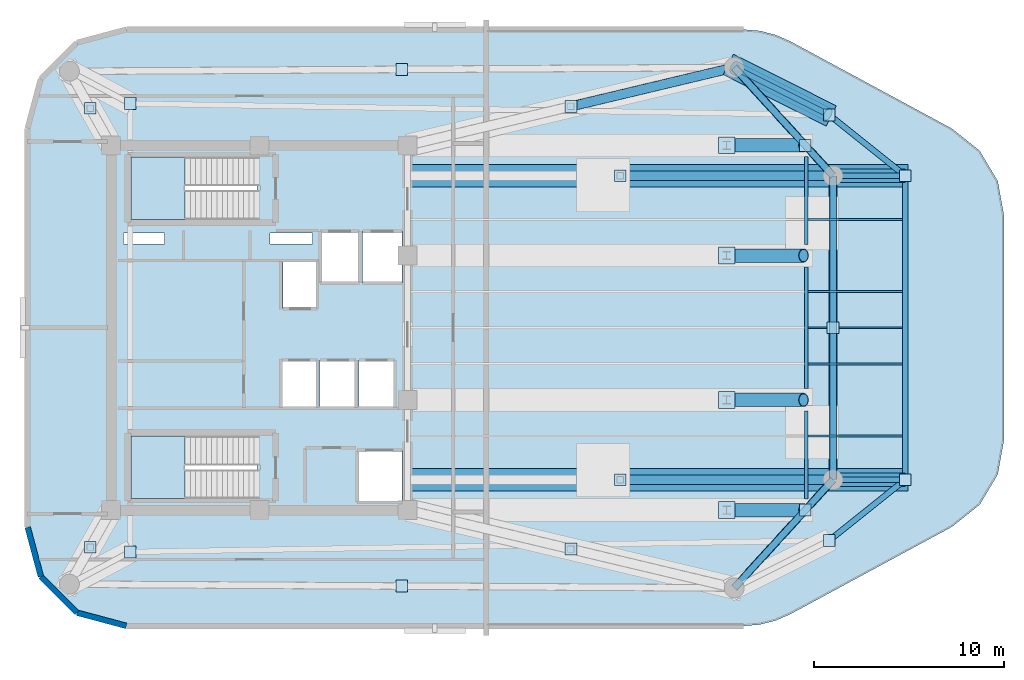
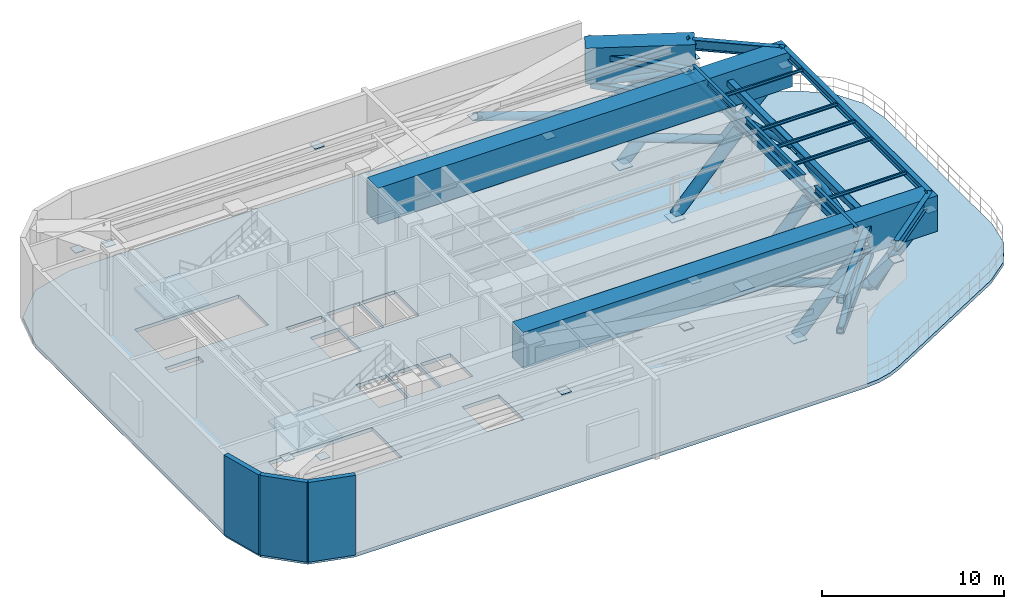
# One storey, part 2 of 6: 22 members, 21 plates, 17 beams, 3 slabs, 3 walls, 2 elements without a shape of their own.
"""IFC4 building model written with IfcOpenShell, lengths in metres."""

from ifc_helpers import new_model, si_unit, direction, frame, frame_2d, origin, origin_2d, place, context, subcontext, project, spatial, polyline, rectangle, hollow_rectangle, hollow_circle, i_section, outline, extrude, material, layer, layer_set, material_profile, profile_set, type_object, element, aggregate, save


model = new_model("IFC4")

# Units and contexts
model_context = context("Model", 3, precision=1e-05, world=origin(), true_north=direction((0.0, 1.0)))
body_context = subcontext(model_context, "Body", "Model", "MODEL_VIEW")
ifc_project = project(units=[si_unit("LENGTHUNIT", "METRE"), si_unit("AREAUNIT", "SQUARE_METRE"), si_unit("VOLUMEUNIT", "CUBIC_METRE"), si_unit("PLANEANGLEUNIT", "RADIAN"), si_unit("MASSUNIT", "GRAM", prefix="KILO")], contexts=[model_context])

# Site, building, storey
site_placement = place(None, origin())
site = spatial("IfcSite", under=ifc_project, at=site_placement, CompositionType="ELEMENT")
building_placement = place(site_placement, origin())
building = spatial("IfcBuilding", under=site, at=building_placement, Name="An Khanh Terracotta Commons", CompositionType="ELEMENT")
storey_placement = place(building_placement, frame((0.0, 0.0, 248.10009765625)))
storey = spatial("IfcBuildingStorey", under=building, at=storey_placement, Name="L65", CompositionType="ELEMENT", Elevation=248.10009765625)

# Members
ifc_material_1 = material(Name="Steel S460ML", Category="steel")
ifc_material_profile_1 = material_profile(ifc_material_1, hollow_rectangle(XDim=0.39990234375, YDim=0.39990234375, WallThickness=0.02001953125, InnerFilletRadius=0.02001953125, OuterFilletRadius=0.0400390625, at=origin_2d()), Name="SHS400x400x20")
ifc_profile_set_1 = profile_set([ifc_material_profile_1], Name="Steel S460ML")
member_type_1 = type_object("IfcMemberType", Name="BELT-CHORD-SHS400", PredefinedType="CHORD", material=ifc_profile_set_1)
for number, where, z_axis, x_axis, name in (
    (1, (54.39990234375, 10.300048828125, 2.5498046875), (0.673978953902, 0.738750546326, 0.0), (-0.738750546326, 0.673978953902, 0.0), "L65 Belt-Truss Bottom Chord 2"),
    (2, (54.39990234375, 10.300048828125, 4.60986328125), (0.673978953902, 0.738750546326, 0.0), (-0.738750546326, 0.673978953902, 0.0), "L65 Belt-Truss Top Chord 2"),
):
    element("IfcMember", number, at=place(storey_placement, frame(where, z_axis=z_axis, x_axis=x_axis)), inside=storey, type_object=member_type_1, Name=name, PredefinedType="CHORD", context=body_context, shape_type="SweptSolid", body=[
        extrude(hollow_rectangle(XDim=0.39990234375, YDim=0.39990234375, WallThickness=0.02001953125, InnerFilletRadius=0.02001953125, OuterFilletRadius=0.0400390625, at=origin_2d()), origin(), (0.0, 0.0, 1.0), 7.715576171875),
    ])
for number, where, z_axis, x_axis, name in (
    (3, (59.60009765625, 16.0, 2.5498046875), (0.0, 1.0, 0.0), (-1.0, 0.0, 0.0), "L65 Belt-Truss Bottom Chord 3"),
    (4, (59.60009765625, 16.0, 4.60986328125), (0.0, 1.0, 0.0), (-1.0, 0.0, 0.0), "L65 Belt-Truss Top Chord 3"),
):
    element("IfcMember", number, at=place(storey_placement, frame(where, z_axis=z_axis, x_axis=x_axis)), inside=storey, type_object=member_type_1, Name=name, PredefinedType="CHORD", context=body_context, shape_type="SweptSolid", body=[
        extrude(hollow_rectangle(XDim=0.39990234375, YDim=0.39990234375, WallThickness=0.02001953125, InnerFilletRadius=0.02001953125, OuterFilletRadius=0.0400390625, at=origin_2d()), origin(), (0.0, 0.0, 1.0), 16.0),
    ])
for number, where, z_axis, x_axis, name in (
    (5, (59.60009765625, 32.0, 2.5498046875), (-0.673978953902, 0.738750546326, 0.0), (-0.738750546326, -0.673978953902, 0.0), "L65 Belt-Truss Bottom Chord 4"),
    (6, (59.60009765625, 32.0, 4.60986328125), (-0.673978953902, 0.738750546326, 0.0), (-0.738750546326, -0.673978953902, 0.0), "L65 Belt-Truss Top Chord 4"),
):
    element("IfcMember", number, at=place(storey_placement, frame(where, z_axis=z_axis, x_axis=x_axis)), inside=storey, type_object=member_type_1, Name=name, PredefinedType="CHORD", context=body_context, shape_type="SweptSolid", body=[
        extrude(hollow_rectangle(XDim=0.39990234375, YDim=0.39990234375, WallThickness=0.02001953125, InnerFilletRadius=0.02001953125, OuterFilletRadius=0.0400390625, at=origin_2d()), origin(), (0.0, 0.0, 1.0), 7.715576171875),
    ])
ifc_material_profile_2 = material_profile(ifc_material_1, hollow_circle(Radius=0.177734375, WallThickness=0.01611328125, at=origin_2d()), Name="CHS355.6x16")
ifc_profile_set_2 = profile_set([ifc_material_profile_2], Name="Steel S460ML")
member_type_2 = type_object("IfcMemberType", Name="BELT-DIAG-CHS355", PredefinedType="BRACE", material=ifc_profile_set_2)
member_1_placement = place(storey_placement, frame((54.39990234375, 10.300048828125, 2.5498046875), z_axis=(0.63181129154, 0.69260441405, 0.348013818005), x_axis=(-0.738786391769, 0.673939661496, 0.0)))
element("IfcMember", 7, at=member_1_placement, inside=storey, type_object=member_type_2, Name="L65 Belt-Truss Web Diagonal 2A", PredefinedType="BRACE", context=body_context, shape_type="SweptSolid", body=[
    extrude(hollow_circle(Radius=0.177734375, WallThickness=0.01611328125, at=origin_2d()), origin(), (0.0, 0.0, 1.0), 5.91943359375),
])
member_2_placement = place(storey_placement, frame((59.60009765625, 16.0, 2.5498046875), z_axis=(-0.488465282341, -0.535261906113, 0.689127245008), x_axis=(0.738658707607, -0.674079604851, 0.0)))
element("IfcMember", 8, at=member_2_placement, inside=storey, type_object=member_type_2, Name="L65 Belt-Truss Web Diagonal 2B", PredefinedType="BRACE", context=body_context, shape_type="SweptSolid", body=[
    extrude(hollow_circle(Radius=0.177734375, WallThickness=0.01611328125, at=origin_2d()), origin(), (0.0, 0.0, 1.0), 2.9892578125),
])
for number, where, z_axis, x_axis, name in (
    (9, (59.60009765625, 16.0, 2.5498046875), (0.0, 0.968407745758, 0.249372087363), (-1.0, 0.0, 0.0), "L65 Belt-Truss Web Diagonal 3A"),
    (10, (59.60009765625, 32.0, 2.5498046875), (0.0, -0.968407745758, 0.249372087363), (1.0, 0.0, 0.0), "L65 Belt-Truss Web Diagonal 3B"),
):
    element("IfcMember", number, at=place(storey_placement, frame(where, z_axis=z_axis, x_axis=x_axis)), inside=storey, type_object=member_type_2, Name=name, PredefinedType="BRACE", context=body_context, shape_type="SweptSolid", body=[
        extrude(hollow_circle(Radius=0.177734375, WallThickness=0.01611328125, at=origin_2d()), origin(), (0.0, 0.0, 1.0), 8.260986328125),
    ])
member_3_placement = place(storey_placement, frame((59.60009765625, 32.0, 2.5498046875), z_axis=(-0.488465282341, 0.535261906113, 0.689127245008), x_axis=(-0.738658707607, -0.674079604851, 0.0)))
element("IfcMember", 11, at=member_3_placement, inside=storey, type_object=member_type_2, Name="L65 Belt-Truss Web Diagonal 4A", PredefinedType="BRACE", context=body_context, shape_type="SweptSolid", body=[
    extrude(hollow_circle(Radius=0.177734375, WallThickness=0.01611328125, at=origin_2d()), origin(), (0.0, 0.0, 1.0), 2.9892578125),
])
member_4_placement = place(storey_placement, frame((54.39990234375, 37.699951171875, 2.5498046875), z_axis=(0.63181129154, -0.69260441405, 0.348013818005), x_axis=(0.738786391769, 0.673939661496, 0.0)))
element("IfcMember", 12, at=member_4_placement, inside=storey, type_object=member_type_2, Name="L65 Belt-Truss Web Diagonal 4B", PredefinedType="BRACE", context=body_context, shape_type="SweptSolid", body=[
    extrude(hollow_circle(Radius=0.177734375, WallThickness=0.01611328125, at=origin_2d()), origin(), (0.0, 0.0, 1.0), 5.91943359375),
])

# Beams
ifc_material_2 = material(Name="Steel S355J2", Category="steel")
ifc_material_profile_3 = material_profile(ifc_material_2, i_section(OverallWidth=0.300048828125, OverallDepth=0.5, WebThickness=0.014404296875, FlangeThickness=0.028076171875, FilletRadius=0.027099609375, at=origin_2d()), Name="HEB500")
ifc_profile_set_3 = profile_set([ifc_material_profile_3], Name="Steel S355J2")
beam_type_1 = type_object("IfcBeamType", Name="BM-HEB500", PredefinedType="BEAM", material=ifc_profile_set_3)
beam_1_placement = place(storey_placement, frame((63.39990234375, 16.0, 5.10986328125), z_axis=(0.0, 1.0, 0.0), x_axis=(-1.0, 0.0, 0.0)))
element("IfcBeam", 13, at=beam_1_placement, inside=storey, type_object=beam_type_1, Name="L65 Perimeter Ring Spandrel 3", PredefinedType="BEAM", context=body_context, shape_type="SweptSolid", body=[
    extrude(i_section(OverallWidth=0.300048828125, OverallDepth=0.5, WebThickness=0.014404296875, FlangeThickness=0.028076171875, FilletRadius=0.027099609375, at=origin_2d()), origin(), (0.0, 0.0, 1.0), 16.0),
])
ifc_material_profile_4 = material_profile(ifc_material_2, i_section(OverallWidth=0.300048828125, OverallDepth=0.60009765625, WebThickness=0.015380859375, FlangeThickness=0.030029296875, FilletRadius=0.027099609375, at=origin_2d()), Name="HEB600")
ifc_profile_set_4 = profile_set([ifc_material_profile_4], Name="Steel S355J2")
beam_type_2 = type_object("IfcBeamType", Name="BM-HEB600", PredefinedType="BEAM", material=ifc_profile_set_4)
for number, where, z_axis, x_axis, name in (
    (14, (59.60009765625, 16.0, 0.0), (0.586315503251, 0.0, 0.810082792465), (0.0, 1.0, 0.0), "L65 Outrigger Lower Column Tie Beam 3"),
    (15, (59.60009765625, 32.0, 0.0), (0.586315503251, 0.0, 0.810082792465), (0.0, 1.0, 0.0), "L65 Outrigger Lower Column Tie Beam 4"),
):
    element("IfcBeam", number, at=place(storey_placement, frame(where, z_axis=z_axis, x_axis=x_axis)), inside=storey, type_object=beam_type_2, Name=name, PredefinedType="BEAM", context=body_context, shape_type="SweptSolid", body=[
        extrude(i_section(OverallWidth=0.300048828125, OverallDepth=0.60009765625, WebThickness=0.015380859375, FlangeThickness=0.030029296875, FilletRadius=0.027099609375, at=origin_2d()), origin(), (0.0, 0.0, 1.0), 6.480712890625),
    ])
beam_2_placement = place(storey_placement, frame((54.39990234375, 37.699951171875, 0.0), z_axis=(0.651981366639, -0.325990683319, 0.684580434971), x_axis=(0.4472135955, 0.894427191, 0.0)))
element("IfcBeam", 16, at=beam_2_placement, inside=storey, type_object=beam_type_2, Name="L65 Outrigger Lower Column Tie Beam 5", PredefinedType="BEAM", context=body_context, shape_type="SweptSolid", body=[
    extrude(i_section(OverallWidth=0.300048828125, OverallDepth=0.60009765625, WebThickness=0.015380859375, FlangeThickness=0.030029296875, FilletRadius=0.027099609375, at=origin_2d()), origin(), (0.0, 0.0, 1.0), 7.6689453125),
])
ifc_material_profile_5 = material_profile(ifc_material_2, i_section(OverallWidth=0.300048828125, OverallDepth=0.699951171875, WebThickness=0.01708984375, FlangeThickness=0.031982421875, FilletRadius=0.027099609375, at=origin_2d()), Name="HEB700")
ifc_profile_set_5 = profile_set([ifc_material_profile_5], Name="Steel S355J2")
beam_type_3 = type_object("IfcBeamType", Name="BM-HEB700", PredefinedType="BEAM", material=ifc_profile_set_5)
for number, where, z_axis, x_axis, name in (
    (17, (59.39990234375, 12.800048828125, 5.010009765625), (0.780873459249, 0.624689235253, 0.0), (-0.624689235253, 0.780873459249, 0.0), "L65 Perimeter Ring Spandrel 2"),
    (18, (63.39990234375, 32.0, 5.010009765625), (-0.780873459249, 0.624689235253, 0.0), (-0.624689235253, -0.780873459249, 0.0), "L65 Perimeter Ring Spandrel 4"),
):
    element("IfcBeam", number, at=place(storey_placement, frame(where, z_axis=z_axis, x_axis=x_axis)), inside=storey, type_object=beam_type_3, Name=name, PredefinedType="BEAM", context=body_context, shape_type="SweptSolid", body=[
        extrude(i_section(OverallWidth=0.300048828125, OverallDepth=0.699951171875, WebThickness=0.01708984375, FlangeThickness=0.031982421875, FilletRadius=0.027099609375, at=origin_2d()), origin(), (0.0, 0.0, 1.0), 5.12255859375),
    ])
ifc_material_profile_6 = material_profile(ifc_material_2, i_section(OverallWidth=0.10009765625, OverallDepth=0.199951171875, WebThickness=0.005615234375, FlangeThickness=0.008544921875, FilletRadius=0.011962890625, at=origin_2d()), Name="IPE200")
ifc_profile_set_6 = profile_set([ifc_material_profile_6], Name="Steel S355J2")
beam_type_4 = type_object("IfcBeamType", Name="BM-IPE200", PredefinedType="JOIST", material=ifc_profile_set_6)
for number, where, z_axis, x_axis, name in (
    (19, (58.294921875, 18.300048828125, 5.260009765625), (1.0, 0.0, 0.0), (0.0, 1.0, 0.0), "L65 Riverfront Composite Joist 2"),
    (20, (58.294921875, 22.10009765625, 5.260009765625), (1.0, 0.0, 0.0), (0.0, 1.0, 0.0), "L65 Riverfront Composite Joist 3"),
    (21, (58.294921875, 24.0, 5.260009765625), (1.0, 0.0, 0.0), (0.0, 1.0, 0.0), "L65 Riverfront Composite Joist 4"),
    (22, (58.294921875, 25.89990234375, 5.260009765625), (1.0, 0.0, 0.0), (0.0, 1.0, 0.0), "L65 Riverfront Composite Joist 5"),
    (23, (58.294921875, 29.699951171875, 5.260009765625), (1.0, 0.0, 0.0), (0.0, 1.0, 0.0), "L65 Riverfront Composite Joist 6"),
):
    element("IfcBeam", number, at=place(storey_placement, frame(where, z_axis=z_axis, x_axis=x_axis)), inside=storey, type_object=beam_type_4, Name=name, PredefinedType="JOIST", context=body_context, shape_type="SweptSolid", body=[
        extrude(i_section(OverallWidth=0.10009765625, OverallDepth=0.199951171875, WebThickness=0.005615234375, FlangeThickness=0.008544921875, FilletRadius=0.011962890625, at=origin_2d()), origin(), (0.0, 0.0, 1.0), 4.955078125),
    ])
ifc_material_profile_7 = material_profile(ifc_material_2, i_section(OverallWidth=0.18994140625, OverallDepth=0.449951171875, WebThickness=0.009521484375, FlangeThickness=0.0146484375, FilletRadius=0.02099609375, at=origin_2d()), Name="IPE450")
ifc_profile_set_7 = profile_set([ifc_material_profile_7], Name="Steel S355J2")
beam_type_5 = type_object("IfcBeamType", Name="BM-IPE450", PredefinedType="JOIST", material=ifc_profile_set_7)
beam_3_placement = place(storey_placement, frame((58.199951171875, 14.989990234375, 5.135009765625), z_axis=(0.0, 1.0, 0.0), x_axis=(-1.0, 0.0, 0.0)))
element("IfcBeam", 24, at=beam_3_placement, inside=storey, type_object=beam_type_5, Name="L65 East Spine Girder 1", PredefinedType="JOIST", context=body_context, shape_type="SweptSolid", body=[
    extrude(i_section(OverallWidth=0.18994140625, OverallDepth=0.449951171875, WebThickness=0.009521484375, FlangeThickness=0.0146484375, FilletRadius=0.02099609375, at=origin_2d()), origin(), (0.0, 0.0, 1.0), 4.6201171875),
])
beam_4_placement = place(storey_placement, frame((58.199951171875, 20.7900390625, 5.135009765625), z_axis=(0.0, 1.0, 0.0), x_axis=(-1.0, 0.0, 0.0)))
element("IfcBeam", 25, at=beam_4_placement, inside=storey, type_object=beam_type_5, Name="L65 East Spine Girder 2", PredefinedType="JOIST", context=body_context, shape_type="SweptSolid", body=[
    extrude(i_section(OverallWidth=0.18994140625, OverallDepth=0.449951171875, WebThickness=0.009521484375, FlangeThickness=0.0146484375, FilletRadius=0.02099609375, at=origin_2d()), origin(), (0.0, 0.0, 1.0), 6.419921875),
])
beam_5_placement = place(storey_placement, frame((58.199951171875, 28.389892578125, 5.135009765625), z_axis=(0.0, 1.0, 0.0), x_axis=(-1.0, 0.0, 0.0)))
element("IfcBeam", 26, at=beam_5_placement, inside=storey, type_object=beam_type_5, Name="L65 East Spine Girder 3", PredefinedType="JOIST", context=body_context, shape_type="SweptSolid", body=[
    extrude(i_section(OverallWidth=0.18994140625, OverallDepth=0.449951171875, WebThickness=0.009521484375, FlangeThickness=0.0146484375, FilletRadius=0.02099609375, at=origin_2d()), origin(), (0.0, 0.0, 1.0), 4.6201171875),
])
ifc_material_3 = material(Name="Concrete C60/75", Category="concrete")
ifc_material_profile_8 = material_profile(ifc_material_3, rectangle(XDim=1.199951171875, YDim=2.39990234375, at=origin_2d()), Name="RCB1200x2400")
ifc_profile_set_8 = profile_set([ifc_material_profile_8], Name="Concrete C60/75")
beam_type_6 = type_object("IfcBeamType", Name="BM-RCB1200x2400", PredefinedType="BEAM", material=ifc_profile_set_8)
for number, where, z_axis, x_axis, name in (
    (27, (37.199951171875, 16.0, 4.159912109375), (1.0, 0.0, 0.0), (0.0, 1.0, 0.0), "L65 Outrigger Core-to-Mega Transfer Girder 3"),
    (28, (37.199951171875, 32.0, 4.159912109375), (1.0, 0.0, 0.0), (0.0, 1.0, 0.0), "L65 Outrigger Core-to-Mega Transfer Girder 4"),
):
    element("IfcBeam", number, at=place(storey_placement, frame(where, z_axis=z_axis, x_axis=x_axis)), inside=storey, type_object=beam_type_6, Name=name, PredefinedType="BEAM", context=body_context, shape_type="SweptSolid", body=[
        extrude(rectangle(XDim=1.199951171875, YDim=2.39990234375, at=origin_2d()), origin(), (0.0, 0.0, 1.0), 26.340087890625),
    ])
beam_6_placement = place(storey_placement, frame((54.0869140625, 37.85693359375, 4.159912109375), z_axis=(0.894370784667, -0.447326390385, 0.0), x_axis=(0.447326390385, 0.894370784667, 0.0)))
element("IfcBeam", 29, at=beam_6_placement, inside=storey, type_object=beam_type_6, Name="L65 Mega-Column Step-Out Transfer Girder 5", PredefinedType="BEAM", context=body_context, shape_type="SweptSolid", body=[
    extrude(rectangle(XDim=1.199951171875, YDim=2.39990234375, at=origin_2d()), origin(), (0.0, 0.0, 1.0), 6.060302734375),
])

# Members
ifc_material_profile_9 = material_profile(ifc_material_1, hollow_circle(Radius=0.25390625, WallThickness=0.02490234375, at=origin_2d()), Name="CHS508x25")
ifc_profile_set_9 = profile_set([ifc_material_profile_9], Name="Steel S460ML")
member_type_3 = type_object("IfcMemberType", Name="OUTRIGGER-DIAG-CHS508", PredefinedType="BRACE", material=ifc_profile_set_9)
for number, where, z_axis, x_axis, name in (
    (30, (48.39990234375, 16.0, 4.60986328125), (0.937429654835, 0.0, -0.348174729461), (0.0, 1.0, 0.0), "L65 Outrigger Tie Diagonal 3B"),
    (31, (48.39990234375, 32.0, 4.60986328125), (0.937429654835, 0.0, -0.348174729461), (0.0, 1.0, 0.0), "L65 Outrigger Tie Diagonal 4B"),
):
    element("IfcMember", number, at=place(storey_placement, frame(where, z_axis=z_axis, x_axis=x_axis)), inside=storey, type_object=member_type_3, Name=name, PredefinedType="BRACE", context=body_context, shape_type="SweptSolid", body=[
        extrude(hollow_circle(Radius=0.25390625, WallThickness=0.02490234375, at=origin_2d()), origin(), (0.0, 0.0, 1.0), 11.94775390625),
    ])
member_5_placement = place(storey_placement, frame((45.800048828125, 35.64990234375, 4.60986328125), z_axis=(0.880174643209, 0.209817643124, -0.425757153886), x_axis=(-0.231884344133, 0.972743363352, 0.0)))
element("IfcMember", 32, at=member_5_placement, inside=storey, type_object=member_type_3, Name="L65 Outrigger Tie Diagonal 5B", PredefinedType="BRACE", context=body_context, shape_type="SweptSolid", body=[
    extrude(hollow_circle(Radius=0.25390625, WallThickness=0.02490234375, at=origin_2d()), origin(), (0.0, 0.0, 1.0), 9.7705078125),
])
ifc_material_profile_10 = material_profile(ifc_material_1, hollow_circle(Radius=0.35546875, WallThickness=0.031982421875, at=origin_2d()), Name="CHS711x32")
ifc_profile_set_10 = profile_set([ifc_material_profile_10], Name="Steel S460ML")
member_type_4 = type_object("IfcMemberType", Name="OUTRIGGER-RAKE-CHS711", PredefinedType="STRUT", material=ifc_profile_set_10)
for number, where, z_axis, x_axis, name in (
    (33, (59.60009765625, 16.0, 0.449951171875), (0.708058768268, 0.0, 0.706153510704), (0.0, 1.0, 0.0), "L65 Zone-Step Raking Outrigger Strut 3"),
    (34, (59.60009765625, 32.0, 0.449951171875), (0.708058768268, 0.0, 0.706153510704), (0.0, 1.0, 0.0), "L65 Zone-Step Raking Outrigger Strut 4"),
):
    element("IfcMember", number, at=place(storey_placement, frame(where, z_axis=z_axis, x_axis=x_axis)), inside=storey, type_object=member_type_4, Name=name, PredefinedType="STRUT", context=body_context, shape_type="SweptSolid", body=[
        extrude(hollow_circle(Radius=0.35546875, WallThickness=0.031982421875, at=origin_2d()), origin(), (0.0, 0.0, 1.0), 5.253662109375),
    ])
member_6_placement = place(storey_placement, frame((54.39990234375, 37.699951171875, 0.449951171875), z_axis=(0.741914551544, -0.370938897903, 0.558540179602), x_axis=(0.447195870645, 0.894436053208, 0.0)))
element("IfcMember", 35, at=member_6_placement, inside=storey, type_object=member_type_4, Name="L65 Zone-Step Raking Outrigger Strut 5", PredefinedType="STRUT", context=body_context, shape_type="SweptSolid", body=[
    extrude(hollow_circle(Radius=0.35546875, WallThickness=0.031982421875, at=origin_2d()), origin(), (0.0, 0.0, 1.0), 6.642333984375),
])
for number, where, z_axis, x_axis, name in (
    (36, (54.0, 14.39990234375, -0.14013671875), (0.68562894051, 0.0, 0.727951204364), (0.0, 1.0, 0.0), "L65 Interior Column Raking Transfer Strut 1"),
    (37, (54.0, 20.199951171875, -0.14013671875), (0.68562894051, 0.0, 0.727951204364), (0.0, 1.0, 0.0), "L65 Interior Column Raking Transfer Strut 2"),
    (38, (54.0, 27.800048828125, -0.14013671875), (0.68562894051, 0.0, 0.727951204364), (0.0, 1.0, 0.0), "L65 Interior Column Raking Transfer Strut 3"),
    (39, (54.0, 33.60009765625, -0.14013671875), (0.68562894051, 0.0, 0.727951204364), (0.0, 1.0, 0.0), "L65 Interior Column Raking Transfer Strut 4"),
):
    element("IfcMember", number, at=place(storey_placement, frame(where, z_axis=z_axis, x_axis=x_axis)), inside=storey, type_object=member_type_4, Name=name, PredefinedType="STRUT", context=body_context, shape_type="SweptSolid", body=[
        extrude(hollow_circle(Radius=0.35546875, WallThickness=0.031982421875, at=origin_2d()), origin(), (0.0, 0.0, 1.0), 5.906982421875),
    ])

# Plates
ifc_layer_1 = layer(ifc_material_1, 0.031982421875, Name="Steel S460ML")
ifc_layer_set_1 = layer_set([ifc_layer_1], Name="Steel S460ML")
plate_type_1 = type_object("IfcPlateType", Name="PLATE-GUSSET-32", PredefinedType="USERDEFINED", material=ifc_layer_set_1)
for number, where, z_axis, x_axis, name in (
    (40, (36.89990234375, 10.39990234375, 4.59375), (0.0, 0.0, 1.0), (1.0, 0.0, 0.0), "L65 Belt-Truss Apex Gusset Plate 1"),
    (41, (58.139892578125, 14.39990234375, 4.59375), (0.0, 0.0, 1.0), (1.0, 0.0, 0.0), "L65 Belt-Truss Apex Gusset Plate 2"),
    (42, (59.60009765625, 24.0, 4.59375), (0.0, 0.0, 1.0), (1.0, 0.0, 0.0), "L65 Belt-Truss Apex Gusset Plate 3"),
    (43, (58.139892578125, 33.60009765625, 4.59375), (0.0, 0.0, 1.0), (1.0, 0.0, 0.0), "L65 Belt-Truss Apex Gusset Plate 4"),
    (44, (36.89990234375, 37.60009765625, 4.59375), (0.0, 0.0, 1.0), (1.0, 0.0, 0.0), "L65 Belt-Truss Apex Gusset Plate 5"),
):
    element("IfcPlate", number, at=place(storey_placement, frame(where, z_axis=z_axis, x_axis=x_axis)), inside=storey, type_object=plate_type_1, Name=name, ObjectType="FLANGE_PLATE", PredefinedType="USERDEFINED", context=body_context, shape_type="SweptSolid", body=[
        extrude(rectangle(XDim=0.6201171875, YDim=0.6201171875, at=origin_2d()), origin(), (0.0, 0.0, 1.0), 0.031982421875),
    ])
ifc_layer_2 = layer(ifc_material_1, 0.0400390625, Name="Steel S460ML")
ifc_layer_set_2 = layer_set([ifc_layer_2], Name="Steel S460ML")
plate_type_2 = type_object("IfcPlateType", Name="PLATE-GUSSET-40", PredefinedType="USERDEFINED", material=ifc_layer_set_2)
for number, where, z_axis, x_axis, name in (
    (45, (22.60009765625, 12.199951171875, 4.08984375), (0.0, 0.0, 1.0), (1.0, 0.0, 0.0), "L65 Outrigger Kink Node End-Cap Plate 1"),
    (46, (20.5, 12.449951171875, 4.58984375), (0.0, 0.0, 1.0), (1.0, 0.0, 0.0), "L65 Outrigger Tie Apex Flange Plate 1"),
    (47, (59.39990234375, 12.800048828125, 4.08984375), (0.0, 0.0, 1.0), (1.0, 0.0, 0.0), "L65 Outrigger Kink Node End-Cap Plate 2"),
    (48, (45.800048828125, 12.35009765625, 4.58984375), (0.0, 0.0, 1.0), (1.0, 0.0, 0.0), "L65 Outrigger Tie Apex Flange Plate 2"),
    (49, (63.39990234375, 16.0, 4.08984375), (0.0, 0.0, 1.0), (1.0, 0.0, 0.0), "L65 Outrigger Kink Node End-Cap Plate 3"),
    (50, (48.39990234375, 16.0, 4.58984375), (0.0, 0.0, 1.0), (1.0, 0.0, 0.0), "L65 Outrigger Tie Apex Flange Plate 3"),
    (51, (63.39990234375, 32.0, 4.08984375), (0.0, 0.0, 1.0), (1.0, 0.0, 0.0), "L65 Outrigger Kink Node End-Cap Plate 4"),
    (52, (48.39990234375, 32.0, 4.58984375), (0.0, 0.0, 1.0), (1.0, 0.0, 0.0), "L65 Outrigger Tie Apex Flange Plate 4"),
    (53, (59.39990234375, 35.199951171875, 4.08984375), (0.0, 0.0, 1.0), (1.0, 0.0, 0.0), "L65 Outrigger Kink Node End-Cap Plate 5"),
    (54, (45.800048828125, 35.64990234375, 4.58984375), (0.0, 0.0, 1.0), (1.0, 0.0, 0.0), "L65 Outrigger Tie Apex Flange Plate 5"),
    (55, (22.60009765625, 35.800048828125, 4.08984375), (0.0, 0.0, 1.0), (1.0, 0.0, 0.0), "L65 Outrigger Kink Node End-Cap Plate 6"),
    (56, (20.5, 35.550048828125, 4.58984375), (0.0, 0.0, 1.0), (1.0, 0.0, 0.0), "L65 Outrigger Tie Apex Flange Plate 6"),
):
    element("IfcPlate", number, at=place(storey_placement, frame(where, z_axis=z_axis, x_axis=x_axis)), inside=storey, type_object=plate_type_2, Name=name, ObjectType="FLANGE_PLATE", PredefinedType="USERDEFINED", context=body_context, shape_type="SweptSolid", body=[
        extrude(rectangle(XDim=0.6201171875, YDim=0.6201171875, at=origin_2d()), origin(), (0.0, 0.0, 1.0), 0.0400390625),
    ])
ifc_layer_3 = layer(ifc_material_1, 0.050048828125, Name="Steel S460ML")
ifc_layer_set_3 = layer_set([ifc_layer_3], Name="Steel S460ML")
plate_type_3 = type_object("IfcPlateType", Name="PLATE-GUSSET-50", PredefinedType="USERDEFINED", material=ifc_layer_set_3)
for number, where, z_axis, x_axis, name in (
    (57, (54.0, 14.39990234375, -0.294921875), (0.0, 0.0, 1.0), (1.0, 0.0, 0.0), "L65 Interior Column Raking Strut Base End-Cap Plate 1"),
    (58, (54.0, 20.199951171875, -0.294921875), (0.0, 0.0, 1.0), (1.0, 0.0, 0.0), "L65 Interior Column Raking Strut Base End-Cap Plate 2"),
    (59, (54.0, 27.800048828125, -0.294921875), (0.0, 0.0, 1.0), (1.0, 0.0, 0.0), "L65 Interior Column Raking Strut Base End-Cap Plate 3"),
    (60, (54.0, 33.60009765625, -0.294921875), (0.0, 0.0, 1.0), (1.0, 0.0, 0.0), "L65 Interior Column Raking Strut Base End-Cap Plate 4"),
):
    element("IfcPlate", number, at=place(storey_placement, frame(where, z_axis=z_axis, x_axis=x_axis)), inside=storey, type_object=plate_type_3, Name=name, ObjectType="FLANGE_PLATE", PredefinedType="USERDEFINED", context=body_context, shape_type="SweptSolid", body=[
        extrude(rectangle(XDim=0.8798828125, YDim=0.8798828125, at=origin_2d()), origin(), (0.0, 0.0, 1.0), 0.050048828125),
    ])

# Stair, slab
ifc_material_4 = material(Name="Precast concrete C40/50", Category="concrete")
stair_type = type_object("IfcStairType", Name="STAIR-CORE-1550", PredefinedType="HALF_TURN_STAIR", material=ifc_material_4)
stair_1_placement = place(storey_placement, origin())
stair_1 = element("IfcStair", 61, at=stair_1_placement, inside=storey, type_object=stair_type, Name="L65 Core Smokeproof Exit Stair ST-01", PredefinedType="HALF_TURN_STAIR")
ifc_material_5 = material(Name="Concrete C40/50", Category="concrete")
ifc_layer_4 = layer(ifc_material_5, 0.18994140625, Name="Concrete C40/50")
ifc_layer_set_4 = layer_set([ifc_layer_4], Name="Concrete C40/50")
slab_type_1 = type_object("IfcSlabType", Name="SLAB-LANDING-190", PredefinedType="LANDING", material=ifc_layer_set_4)
slab_1_placement = place(storey_placement, frame((0.0, 0.0, 2.599853515625)))
slab_1 = element("IfcSlab", 62, at=slab_1_placement, type_object=slab_type_1, Name="ST-01 landing 1", PredefinedType="LANDING", context=body_context, shape_type="SweptSolid", body=[
    extrude(outline(polyline([(25.489990234375, 33.0), (22.64990234375, 33.0), (22.64990234375, 29.699951171875), (25.489990234375, 29.699951171875), (25.489990234375, 33.0)])), origin(), (0.0, 0.0, 1.0), 0.199951171875),
])
aggregate(stair_1, [slab_1])

stair_2_placement = place(storey_placement, origin())
stair_2 = element("IfcStair", 63, at=stair_2_placement, inside=storey, type_object=stair_type, Name="L65 Core Smokeproof Exit Stair ST-02", PredefinedType="HALF_TURN_STAIR")
slab_2_placement = place(storey_placement, frame((0.0, 0.0, 2.599853515625)))
slab_2 = element("IfcSlab", 64, at=slab_2_placement, type_object=slab_type_1, Name="ST-02 landing 1", PredefinedType="LANDING", context=body_context, shape_type="SweptSolid", body=[
    extrude(outline(polyline([(25.489990234375, 18.300048828125), (22.64990234375, 18.300048828125), (22.64990234375, 15.0), (25.489990234375, 15.0), (25.489990234375, 18.300048828125)])), origin(), (0.0, 0.0, 1.0), 0.199951171875),
])
aggregate(stair_2, [slab_2])

# Slab
ifc_layer_5 = layer(ifc_material_5, 0.260009765625, Name="Concrete C40/50")
ifc_layer_set_5 = layer_set([ifc_layer_5], Name="Concrete C40/50")
slab_type_2 = type_object("IfcSlabType", Name="SLAB-REF-260", PredefinedType="FLOOR", material=ifc_layer_set_5)
slab_3_placement = place(storey_placement, frame((0.0, 0.0, -0.239990234375)))
element("IfcSlab", 65, at=slab_3_placement, inside=storey, type_object=slab_type_2, Name="L65 Structural Floor Slab", PredefinedType="FLOOR", context=body_context, shape_type="SweptSolid", body=[
    extrude(outline(polyline([(17.199951171875, 13.5), (17.89697265625, 10.89990234375), (19.800048828125, 8.9970703125), (22.39990234375, 8.300048828125), (54.885009765625, 8.300048828125), (55.739990234375, 8.37109375), (56.571044921875, 8.5810546875), (57.35693359375, 8.925048828125), (65.8720703125, 13.52587890625), (67.320068359375, 14.68408203125), (68.26904296875, 16.27587890625), (68.60009765625, 18.10107421875), (68.60009765625, 29.89892578125), (68.26904296875, 31.72412109375), (67.320068359375, 33.31591796875), (65.8720703125, 34.47412109375), (57.35693359375, 39.074951171875), (56.571044921875, 39.4189453125), (55.739990234375, 39.62890625), (54.885009765625, 39.699951171875), (22.39990234375, 39.699951171875), (19.800048828125, 39.0029296875), (17.89697265625, 37.10009765625), (17.199951171875, 34.5), (17.199951171875, 13.5)]), holes=[polyline([(22.64990234375, 29.699951171875), (29.27001953125, 29.699951171875), (29.27001953125, 33.0), (22.64990234375, 33.0), (22.64990234375, 29.699951171875)]), polyline([(22.64990234375, 15.0), (29.27001953125, 15.0), (29.27001953125, 18.300048828125), (22.64990234375, 18.300048828125), (22.64990234375, 15.0)]), polyline([(32.60009765625, 26.35009765625), (34.679931640625, 26.35009765625), (34.679931640625, 29.080078125), (32.60009765625, 29.080078125), (32.60009765625, 26.35009765625)]), polyline([(34.820068359375, 26.35009765625), (36.89990234375, 26.35009765625), (36.89990234375, 29.080078125), (34.820068359375, 29.080078125), (34.820068359375, 26.35009765625)]), polyline([(34.550048828125, 14.800048828125), (36.89990234375, 14.800048828125), (36.89990234375, 17.550048828125), (34.550048828125, 17.550048828125), (34.550048828125, 14.800048828125)]), polyline([(30.639892578125, 25.0), (32.4599609375, 25.0), (32.4599609375, 27.5), (30.639892578125, 27.5), (30.639892578125, 25.0)]), polyline([(30.56005859375, 19.800048828125), (32.4599609375, 19.800048828125), (32.4599609375, 22.300048828125), (30.56005859375, 22.300048828125), (30.56005859375, 19.800048828125)]), polyline([(32.60009765625, 19.800048828125), (34.5, 19.800048828125), (34.5, 22.300048828125), (32.60009765625, 22.300048828125), (32.60009765625, 19.800048828125)]), polyline([(34.639892578125, 19.800048828125), (36.5400390625, 19.800048828125), (36.5400390625, 22.300048828125), (34.639892578125, 22.300048828125), (34.639892578125, 19.800048828125)]), polyline([(22.25, 28.419921875), (24.39990234375, 28.419921875), (24.39990234375, 28.97998046875), (22.25, 28.97998046875), (22.25, 28.419921875)]), polyline([(29.949951171875, 28.419921875), (32.199951171875, 28.419921875), (32.199951171875, 28.97998046875), (29.949951171875, 28.97998046875), (29.949951171875, 28.419921875)])]), origin(), (0.0, 0.0, 1.0), 0.239990234375),
])

# Walls
ifc_layer_6 = layer(ifc_material_4, 0.300048828125, Name="Precast concrete C40/50")
ifc_layer_set_6 = layer_set([ifc_layer_6], Name="Precast concrete C40/50")
wall_type = type_object("IfcWallType", Name="WALL-EXT-300", PredefinedType="SOLIDWALL", material=ifc_layer_set_6)
wall_1_placement = place(storey_placement, frame((17.199951171875, 13.5, 0.0), z_axis=(0.0, 0.0, 1.0), x_axis=(0.258932525951, -0.965895412042, 0.0)))
element("IfcWall", 66, at=wall_1_placement, inside=storey, type_object=wall_type, Name="L65 Refuge Perimeter Wall 1", PredefinedType="SOLIDWALL", context=body_context, shape_type="SweptSolid", body=[
    extrude(rectangle(XDim=2.69189453125, YDim=0.300048828125, at=frame_2d((1.345947265625, 0.0))), origin(), (0.0, 0.0, 1.0), 5.35986328125),
])
wall_2_placement = place(storey_placement, frame((17.89697265625, 10.89990234375, 0.0), z_axis=(0.0, 0.0, 1.0), x_axis=(0.707152139074, -0.70706142039, 0.0)))
element("IfcWall", 67, at=wall_2_placement, inside=storey, type_object=wall_type, Name="L65 Refuge Perimeter Wall 2", PredefinedType="SOLIDWALL", context=body_context, shape_type="SweptSolid", body=[
    extrude(rectangle(XDim=2.691162109375, YDim=0.300048828125, at=frame_2d((1.345703125, 0.0))), origin(), (0.0, 0.0, 1.0), 5.35986328125),
])
wall_3_placement = place(storey_placement, frame((19.800048828125, 8.9970703125, 0.0), z_axis=(0.0, 0.0, 1.0), x_axis=(0.965889330541, -0.258955210695, 0.0)))
element("IfcWall", 68, at=wall_3_placement, inside=storey, type_object=wall_type, Name="L65 Refuge Perimeter Wall 3", PredefinedType="SOLIDWALL", context=body_context, shape_type="SweptSolid", body=[
    extrude(rectangle(XDim=2.691650390625, YDim=0.300048828125, at=frame_2d((1.345703125, 0.0))), origin(), (0.0, 0.0, 1.0), 5.35986328125),
])

save(model, "model.ifc")
